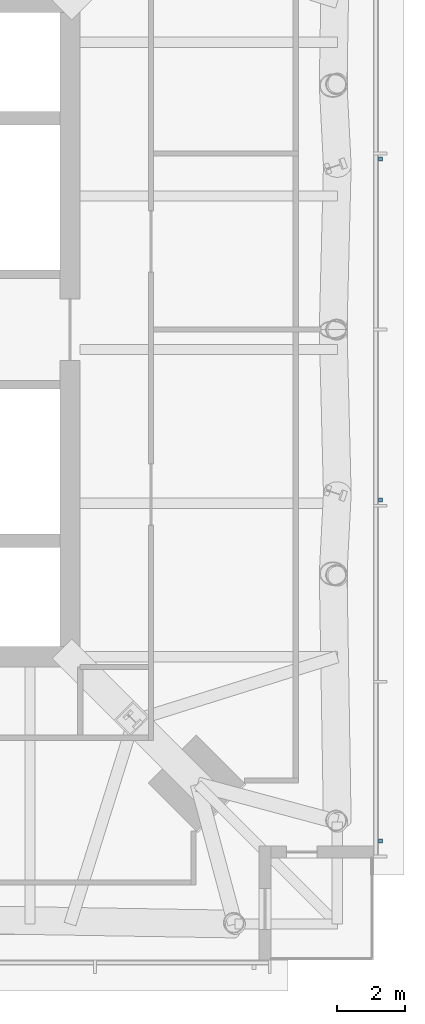
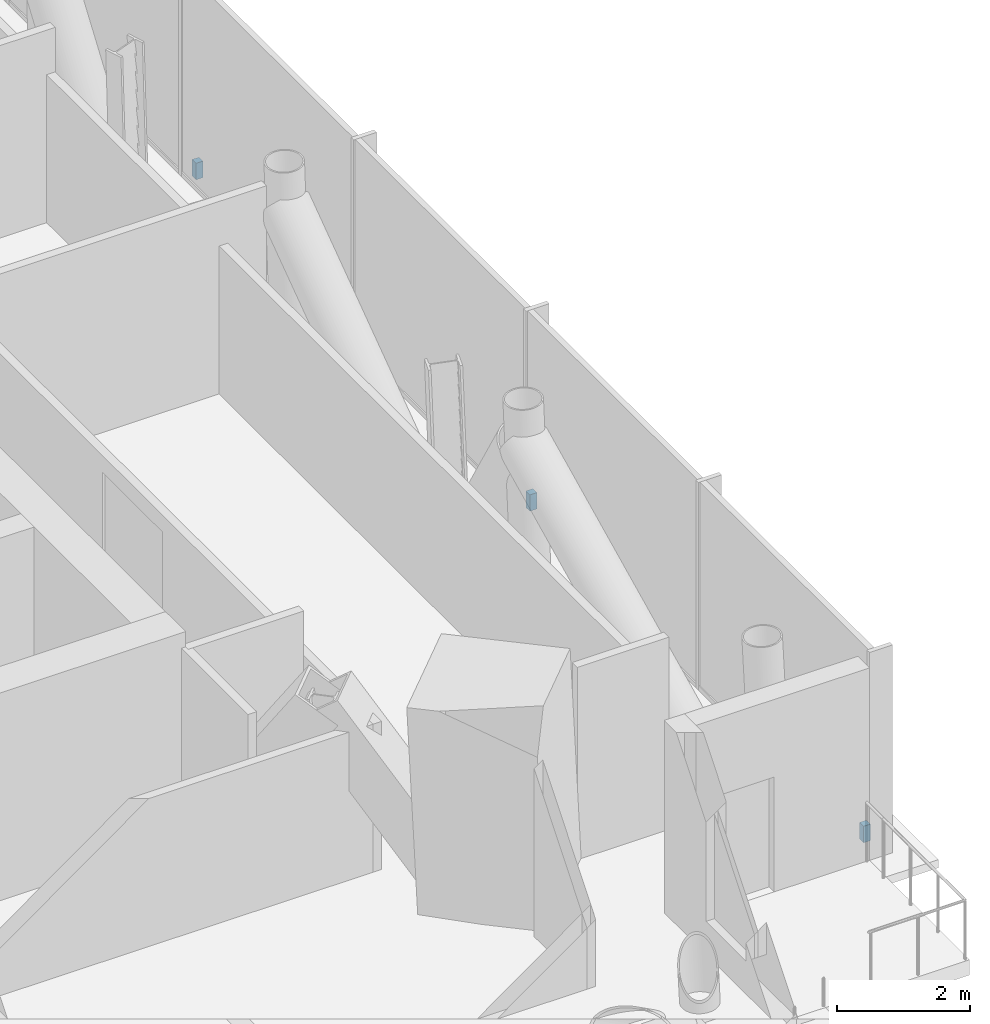
# One storey, part 8 of 10: 3 discrete accessories.
"""IFC4 building model written with IfcOpenShell, lengths in metres."""

from ifc_helpers import new_model, si_unit, direction, frame, origin, origin_2d, place, context, subcontext, project, spatial, rectangle, extrude, material, type_object, element, save


model = new_model("IFC4")

# Units and contexts
model_context = context("Model", 3, precision=1e-05, world=origin(), true_north=direction((0.0, 1.0)))
body_context = subcontext(model_context, "Body", "Model", "MODEL_VIEW")
ifc_project = project(units=[si_unit("LENGTHUNIT", "METRE"), si_unit("AREAUNIT", "SQUARE_METRE"), si_unit("VOLUMEUNIT", "CUBIC_METRE"), si_unit("PLANEANGLEUNIT", "RADIAN"), si_unit("MASSUNIT", "GRAM", prefix="KILO")], contexts=[model_context])

# Site, building, storey
site_placement = place(None, origin())
site = spatial("IfcSite", under=ifc_project, at=site_placement, CompositionType="ELEMENT")
building_placement = place(site_placement, origin())
building = spatial("IfcBuilding", under=site, at=building_placement, Name="Ostroluk Exchange", CompositionType="ELEMENT")
storey_placement = place(building_placement, frame((0.0, 0.0, 226.199951171875)))
storey = spatial("IfcBuildingStorey", under=building, at=storey_placement, Name="L58", CompositionType="ELEMENT", Elevation=226.199951171875)

# Discrete accessories
ifc_material = material(Name="Stainless steel", Category="steel")
discrete_accessory_type = type_object("IfcDiscreteAccessoryType", Name="Fall-arrest anchor PN-EN 795 type C", PredefinedType="USERDEFINED", material=ifc_material)
for number, where, z_axis, x_axis, name in (
    (1, (63.7099609375, 31.0, 0.0), (0.0, 0.0, 1.0), (1.0, 0.0, 0.0), "Fall-arrest anchor L58 east 1"),
    (2, (63.7099609375, 41.0, 0.0), (0.0, 0.0, 1.0), (1.0, 0.0, 0.0), "Fall-arrest anchor L58 east 2"),
    (3, (63.7099609375, 51.0, 0.0), (0.0, 0.0, 1.0), (1.0, 0.0, 0.0), "Fall-arrest anchor L58 east 3"),
):
    element("IfcDiscreteAccessory", number, at=place(storey_placement, frame(where, z_axis=z_axis, x_axis=x_axis)), inside=storey, type_object=discrete_accessory_type, Name=name, ObjectType="FALL ARREST ANCHOR", PredefinedType="USERDEFINED", context=body_context, shape_type="SweptSolid", body=[
        extrude(rectangle(XDim=0.1201171875, YDim=0.1201171875, at=origin_2d()), origin(), (0.0, 0.0, 1.0), 0.300048828125),
    ])

save(model, "model.ifc")
